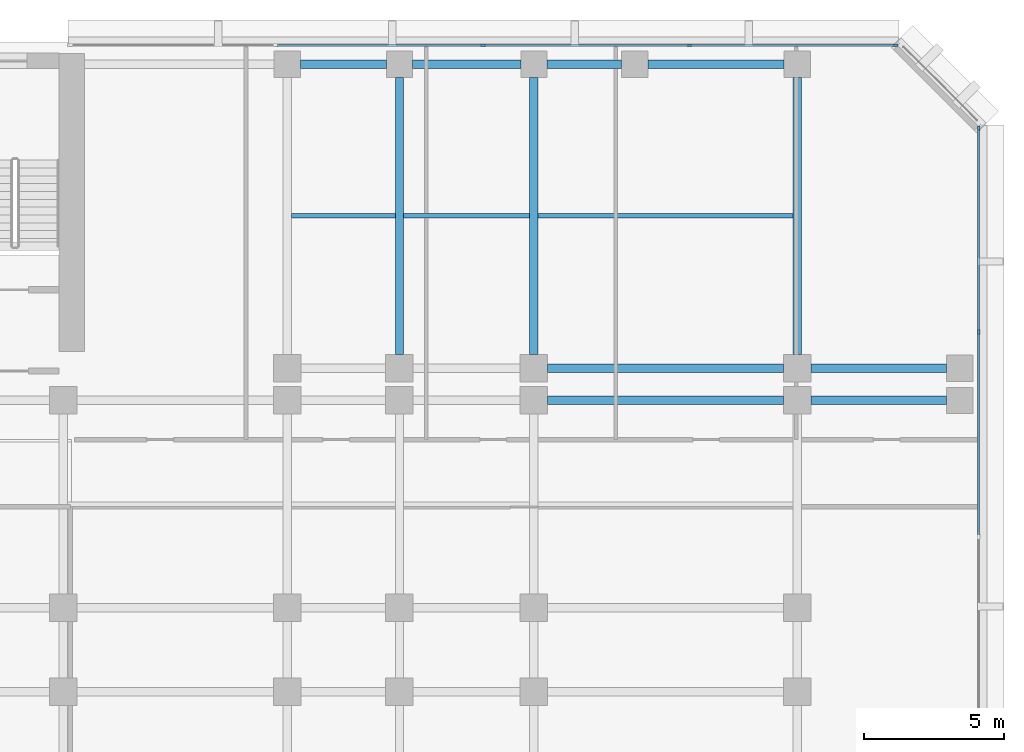
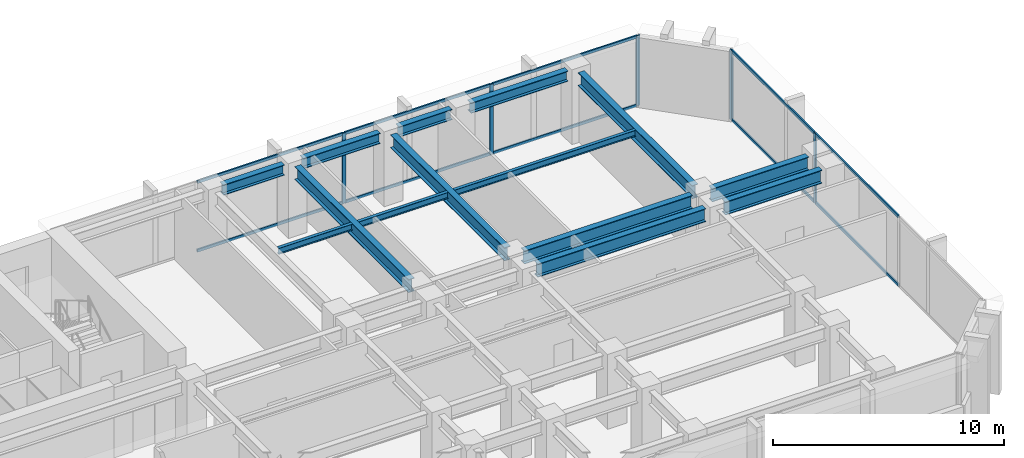
# One storey, part 5 of 13: 15 members, 14 beams, 2 elements without a shape of their own.
"""IFC4 building model written with IfcOpenShell, lengths in metres."""

import ifcopenshell
import ifcopenshell.guid

model = None  # the IFC model being written
_history = None  # IfcOwnerHistory: only IFC2X3 demands one
_inside = {}  # id of a spatial element -> (the spatial element, [elements in it])
_under = {}  # id of a project, library or spatial element -> (it, [spatial elements below it])
_declared = {}  # id of a project -> (the project, [libraries it declares])
_typed = {}  # id of a type object -> (the type object, [elements of that type])
_made_of = {}  # id of a material, layer set ... -> (it, [elements and type objects made of it])


def new_model(schema):
    """Start an empty IFC model of exactly this schema.

    Asked for "IFC4X3", IfcOpenShell would pick the latest addendum, in which some entities
    have other attributes; the version numbers below select the first issue.
    IFC2X3 requires an IfcOwnerHistory on every rooted entity: one is made here for all.
    """
    global model, _history
    if schema == "IFC4X3":
        model = ifcopenshell.file(schema_version=(4, 3, 0, 0))
    else:
        model = ifcopenshell.file(schema=schema)
    _inside.clear()
    _under.clear()
    _declared.clear()
    _typed.clear()
    _made_of.clear()
    _history = None
    if model.schema == "IFC2X3":
        org = make("IfcOrganization", Name="unknown")
        user = make(
            "IfcPersonAndOrganization",
            ThePerson=make("IfcPerson", FamilyName="unknown"),
            TheOrganization=org,
        )
        app = make(
            "IfcApplication",
            ApplicationDeveloper=org,
            Version="unknown",
            ApplicationFullName="unknown",
            ApplicationIdentifier="unknown",
        )
        _history = make(
            "IfcOwnerHistory",
            OwningUser=user,
            OwningApplication=app,
            ChangeAction="ADDED",
            CreationDate=0,
        )
    return model


def make(cls, **values):
    """One entity of the class cls with the attributes given. An attribute that is None is left unset."""
    return model.create_entity(
        cls, **{name: value for name, value in values.items() if value is not None}
    )


def rooted(cls, **values):
    """An entity with a GlobalId (a new one), such as an element, a storey or a relation."""
    return make(cls, GlobalId=ifcopenshell.guid.new(), OwnerHistory=_history, **values)


def si_unit(unit_type, name, prefix=None):
    """IfcSIUnit, for example si_unit("LENGTHUNIT", "METRE", prefix="MILLI")."""
    return make("IfcSIUnit", UnitType=unit_type, Prefix=prefix, Name=name)


def assignment(units):
    """IfcUnitAssignment: the units of a project."""
    return None if units is None else make("IfcUnitAssignment", Units=units)


def point(xyz):
    """IfcCartesianPoint."""
    return None if xyz is None else make("IfcCartesianPoint", Coordinates=xyz)


def direction(xyz):
    """IfcDirection."""
    return None if xyz is None else make("IfcDirection", DirectionRatios=xyz)


def frame(location, z_axis=None, x_axis=None):
    """IfcAxis2Placement3D, a coordinate frame: its origin and axes. An axis left out is left unset."""
    return make(
        "IfcAxis2Placement3D",
        Location=point(location),
        Axis=direction(z_axis),
        RefDirection=direction(x_axis),
    )


def frame_2d(location, x_axis=None):
    """IfcAxis2Placement2D, a coordinate frame in the plane: its origin and x axis."""
    return make(
        "IfcAxis2Placement2D", Location=point(location), RefDirection=direction(x_axis)
    )


def origin():
    """The frame at (0, 0, 0) with its axes left unset."""
    return frame((0.0, 0.0, 0.0))


def origin_2d():
    """The frame at (0, 0) in the plane with its x axis left unset."""
    return frame_2d((0.0, 0.0))


def place(relative_to, where):
    """IfcLocalPlacement: puts the frame where relative to a parent placement (None: the world)."""
    return make(
        "IfcLocalPlacement", PlacementRelTo=relative_to, RelativePlacement=where
    )


def context(
    kind, dimensions, precision=None, world=None, true_north=None, identifier=None
):
    """IfcGeometricRepresentationContext, for example the 3D "Model" context."""
    return make(
        "IfcGeometricRepresentationContext",
        ContextIdentifier=identifier,
        ContextType=kind,
        CoordinateSpaceDimension=dimensions,
        Precision=precision,
        WorldCoordinateSystem=world,
        TrueNorth=true_north,
    )


def subcontext(parent, identifier, kind, view, scale=None):
    """IfcGeometricRepresentationSubContext, for example "Body" below "Model"."""
    return make(
        "IfcGeometricRepresentationSubContext",
        ContextIdentifier=identifier,
        ContextType=kind,
        ParentContext=parent,
        TargetScale=scale,
        TargetView=view,
    )


def project(units=None, contexts=None):
    """IfcProject with its units and contexts."""
    return rooted(
        "IfcProject",
        Name="project",
        RepresentationContexts=contexts,
        UnitsInContext=assignment(units),
    )


def spatial(cls, under=None, at=None, **own):
    """A site, building, storey or space (cls), placed at a placement, below another one or the project."""
    s = rooted(cls, ObjectPlacement=at, **own)
    if under is not None:
        _under.setdefault(under.id(), (under, []))[1].append(s)
    return s


def profile(cls, at=None, kind="AREA", **sizes):
    """A parametric profile (cls). Its sizes go by their IFC names, for example OverallWidth=200.0."""
    return make(cls, ProfileType=kind, Position=at, **sizes)


def rectangle(**sizes):
    """IfcRectangleProfileDef."""
    return profile("IfcRectangleProfileDef", **sizes)


def i_section(**sizes):
    """IfcIShapeProfileDef."""
    return profile("IfcIShapeProfileDef", **sizes)


def extrude(swept, where, along, depth):
    """IfcExtrudedAreaSolid: the profile swept, set in the frame where, extruded along a direction by depth."""
    return make(
        "IfcExtrudedAreaSolid",
        SweptArea=swept,
        Position=where,
        ExtrudedDirection=direction(along),
        Depth=depth,
    )


def shape(context_of_items, identifier, shape_type, items):
    """IfcShapeRepresentation: the items that make up one representation, for example the "Body"."""
    return make(
        "IfcShapeRepresentation",
        ContextOfItems=context_of_items,
        RepresentationIdentifier=identifier,
        RepresentationType=shape_type,
        Items=items,
    )


def material(Name=None, Category=None):
    """IfcMaterial."""
    return make("IfcMaterial", Name=Name, Category=Category)


def layer(
    of_material, thickness, ventilated=None, Name=None, Category=None, Priority=None
):
    """IfcMaterialLayer: one layer of a wall or slab, of a material (None: an air gap)."""
    return make(
        "IfcMaterialLayer",
        Material=of_material,
        LayerThickness=thickness,
        IsVentilated=ventilated,
        Name=Name,
        Category=Category,
        Priority=Priority,
    )


def layer_set(layers, Name=None):
    """IfcMaterialLayerSet."""
    return make("IfcMaterialLayerSet", MaterialLayers=layers, LayerSetName=Name)


def material_profile(
    of_material, cross_section, Name=None, Category=None, Priority=None
):
    """IfcMaterialProfile: a cross section and its material."""
    return make(
        "IfcMaterialProfile",
        Name=Name,
        Material=of_material,
        Profile=cross_section,
        Priority=Priority,
        Category=Category,
    )


def profile_set(profiles, Name=None, composite=None):
    """IfcMaterialProfileSet."""
    return make(
        "IfcMaterialProfileSet",
        Name=Name,
        MaterialProfiles=profiles,
        CompositeProfile=composite,
    )


def made_of(thing, what):
    """Note that an element or type object is made of a material, layer set ...; save() writes the relation."""
    if what is not None:
        _made_of.setdefault(what.id(), (what, []))[1].append(thing)
    return thing


def type_object(cls, material=None, **own):
    """A type object (cls), such as IfcWallType, which elements share."""
    return made_of(rooted(cls, **own), material)


def element(
    cls,
    number,
    at=None,
    inside=None,
    cuts=None,
    type_object=None,
    material=None,
    context=None,
    identifier="Body",
    shape_type=None,
    held_by="IfcProductDefinitionShape",
    body=None,
    shapes=None,
    **own,
):
    """One element of the class cls, such as IfcWall. Its Tag is "e" and its number.

    at: its placement. inside: the storey or other place that contains it. cuts: it is an
    opening in that element (IfcRelVoidsElement). A single representation is given by context,
    identifier, shape_type and body (its items); several are given by shapes. held_by: the class
    of the entity that holds the representations. save() writes the other relations.
    """
    e = rooted(cls, Tag="e%d" % number, ObjectPlacement=at, **own)
    if body is not None:
        shapes = [shape(context, identifier, shape_type, body)]
    if shapes is not None:
        e.Representation = make(held_by, Representations=shapes)
    if inside is not None:
        _inside.setdefault(inside.id(), (inside, []))[1].append(e)
    if cuts is not None:
        rooted(
            "IfcRelVoidsElement", RelatingBuildingElement=cuts, RelatedOpeningElement=e
        )
    if type_object is not None:
        _typed.setdefault(type_object.id(), (type_object, []))[1].append(e)
    return made_of(e, material)


def aggregate(whole, parts):
    """IfcRelAggregates: a whole, such as a stair, and the parts it consists of."""
    return rooted("IfcRelAggregates", RelatingObject=whole, RelatedObjects=parts)


def save(model, path):
    """Write the relations noted so far, then the file.

    IfcRelAggregates (storeys below a building ...), IfcRelContainedInSpatialStructure (elements
    in a storey), IfcRelDefinesByType, IfcRelAssociatesMaterial and IfcRelDeclares: one each for
    every whole, place, type object, material and project.
    """
    for whole, parts in _under.values():
        aggregate(whole, parts)
    for where, things in _inside.values():
        rooted(
            "IfcRelContainedInSpatialStructure",
            RelatedElements=things,
            RelatingStructure=where,
        )
    for kind, things in _typed.values():
        rooted("IfcRelDefinesByType", RelatedObjects=things, RelatingType=kind)
    for what, things in _made_of.values():
        rooted("IfcRelAssociatesMaterial", RelatedObjects=things, RelatingMaterial=what)
    for by, libraries in _declared.values():
        rooted("IfcRelDeclares", RelatingContext=by, RelatedDefinitions=libraries)
    model.write(path)


model = new_model("IFC4")

# Units and contexts
model_context = context("Model", 3, precision=1e-05, world=origin(), true_north=direction((0.0, 1.0)))
body_context = subcontext(model_context, "Body", "Model", "MODEL_VIEW")
ifc_project = project(units=[si_unit("LENGTHUNIT", "METRE"), si_unit("AREAUNIT", "SQUARE_METRE"), si_unit("VOLUMEUNIT", "CUBIC_METRE"), si_unit("PLANEANGLEUNIT", "RADIAN"), si_unit("MASSUNIT", "GRAM", prefix="KILO")], contexts=[model_context])

# Site, building, storey
site_placement = place(None, origin())
site = spatial("IfcSite", under=ifc_project, at=site_placement, CompositionType="ELEMENT")
building_placement = place(site_placement, origin())
building = spatial("IfcBuilding", under=site, at=building_placement, Name="Kefirva Bronze Tower", CompositionType="ELEMENT")
storey_placement = place(building_placement, frame((0.0, 0.0, 69.9599609375)))
storey = spatial("IfcBuildingStorey", under=building, at=storey_placement, Name="L16", CompositionType="ELEMENT", Elevation=69.9599609375)

# Curtain wall, members
ifc_material_1 = material(Name="Bronze anodised aluminium", Category="aluminium")
ifc_layer = layer(ifc_material_1, 0.199951171875, Name="Bronze anodised aluminium")
ifc_layer_set = layer_set([ifc_layer], Name="Bronze anodised aluminium")
curtain_wall_type = type_object("IfcCurtainWallType", Name="Unitised Bronze Ribbon Curtain Wall Zone 1", PredefinedType="USERDEFINED", material=ifc_layer_set)
curtain_wall_1_placement = place(storey_placement, origin())
curtain_wall_1 = element("IfcCurtainWall", 1, at=curtain_wall_1_placement, inside=storey, type_object=curtain_wall_type, Name="L16 Curtain Wall 3", ObjectType="UNITISED CURTAIN WALL", PredefinedType="USERDEFINED")
ifc_material_profile_1 = material_profile(ifc_material_1, rectangle(XDim=0.074951171875, YDim=0.179931640625, at=origin_2d()), Name="ALU 75x180")
ifc_profile_set_1 = profile_set([ifc_material_profile_1], Name="Bronze anodised aluminium")
member_type_1 = type_object("IfcMemberType", Name="Bronze Mullion 75x180", PredefinedType="MULLION", material=ifc_profile_set_1)
member_1_placement = place(storey_placement, frame((55.8798828125, 35.6484375, 0.0), z_axis=(0.0, 0.0, 1.0), x_axis=(-1.0, 0.0, 0.0)))
member_1 = element("IfcMember", 2, at=member_1_placement, type_object=member_type_1, Name="CW-01 mullion 3", PredefinedType="MULLION", context=body_context, shape_type="SweptSolid", body=[
    extrude(rectangle(XDim=0.074951171875, YDim=0.179931640625, at=origin_2d()), origin(), (0.0, 0.0, 1.0), 3.7099609375),
])
member_2_placement = place(storey_placement, frame((55.8798828125, 42.907470703125, 0.0), z_axis=(0.0, 0.0, 1.0), x_axis=(-1.0, 0.0, 0.0)))
member_2 = element("IfcMember", 3, at=member_2_placement, type_object=member_type_1, Name="CW-01 mullion 4", PredefinedType="MULLION", context=body_context, shape_type="SweptSolid", body=[
    extrude(rectangle(XDim=0.074951171875, YDim=0.179931640625, at=origin_2d()), origin(), (0.0, 0.0, 1.0), 3.7099609375),
])

curtain_wall_2_placement = place(storey_placement, origin())
curtain_wall_2 = element("IfcCurtainWall", 4, at=curtain_wall_2_placement, inside=storey, type_object=curtain_wall_type, Name="L16 Curtain Wall 4", ObjectType="UNITISED CURTAIN WALL", PredefinedType="USERDEFINED")
member_3_placement = place(storey_placement, frame((52.907470703125, 45.8798828125, 0.0), z_axis=(0.0, 0.0, 1.0), x_axis=(0.0, -1.0, 0.0)))
member_3 = element("IfcMember", 5, at=member_3_placement, type_object=member_type_1, Name="CW-01 mullion 1", PredefinedType="MULLION", context=body_context, shape_type="SweptSolid", body=[
    extrude(rectangle(XDim=0.074951171875, YDim=0.179931640625, at=origin_2d()), origin(), (0.0, 0.0, 1.0), 3.7099609375),
])
member_4_placement = place(storey_placement, frame((45.56005859375, 45.8798828125, 0.0), z_axis=(0.0, 0.0, 1.0), x_axis=(0.0, -1.0, 0.0)))
member_4 = element("IfcMember", 6, at=member_4_placement, type_object=member_type_1, Name="CW-01 mullion 2", PredefinedType="MULLION", context=body_context, shape_type="SweptSolid", body=[
    extrude(rectangle(XDim=0.074951171875, YDim=0.179931640625, at=origin_2d()), origin(), (0.0, 0.0, 1.0), 3.7099609375),
])
member_5_placement = place(storey_placement, frame((38.175048828125, 45.8798828125, 0.0), z_axis=(0.0, 0.0, 1.0), x_axis=(0.0, -1.0, 0.0)))
member_5 = element("IfcMember", 7, at=member_5_placement, type_object=member_type_1, Name="CW-01 mullion 3", PredefinedType="MULLION", context=body_context, shape_type="SweptSolid", body=[
    extrude(rectangle(XDim=0.074951171875, YDim=0.179931640625, at=origin_2d()), origin(), (0.0, 0.0, 1.0), 3.7099609375),
])

# Member
ifc_material_profile_2 = material_profile(ifc_material_1, rectangle(XDim=0.074951171875, YDim=0.14990234375, at=origin_2d()), Name="ALU 75x150")
ifc_profile_set_2 = profile_set([ifc_material_profile_2], Name="Bronze anodised aluminium")
member_type_2 = type_object("IfcMemberType", Name="Bronze Transom 75x150", PredefinedType="USERDEFINED", material=ifc_profile_set_2)
member_6_placement = place(storey_placement, frame((55.8798828125, 28.38916015625, 0.03759765625), z_axis=(0.0, 1.0, 0.0), x_axis=(-1.0, 0.0, 0.0)))
member_6 = element("IfcMember", 8, at=member_6_placement, type_object=member_type_2, Name="CW-01 transom 2.1", ObjectType="TRANSOM", PredefinedType="USERDEFINED", context=body_context, shape_type="SweptSolid", body=[
    extrude(rectangle(XDim=0.074951171875, YDim=0.14990234375, at=origin_2d()), origin(), (0.0, 0.0, 1.0), 7.2216796875),
])

member_7_placement = place(storey_placement, frame((55.8798828125, 28.38916015625, 3.672607421875), z_axis=(0.0, 1.0, 0.0), x_axis=(-1.0, 0.0, 0.0)))
member_7 = element("IfcMember", 9, at=member_7_placement, type_object=member_type_2, Name="CW-01 transom 2.2", ObjectType="TRANSOM", PredefinedType="USERDEFINED", context=body_context, shape_type="SweptSolid", body=[
    extrude(rectangle(XDim=0.074951171875, YDim=0.14990234375, at=origin_2d()), origin(), (0.0, 0.0, 1.0), 7.2216796875),
])

member_8_placement = place(storey_placement, frame((55.8798828125, 35.685791015625, 0.03759765625), z_axis=(0.0, 1.0, 0.0), x_axis=(-1.0, 0.0, 0.0)))
member_8 = element("IfcMember", 10, at=member_8_placement, type_object=member_type_2, Name="CW-01 transom 3.1", ObjectType="TRANSOM", PredefinedType="USERDEFINED", context=body_context, shape_type="SweptSolid", body=[
    extrude(rectangle(XDim=0.074951171875, YDim=0.14990234375, at=origin_2d()), origin(), (0.0, 0.0, 1.0), 7.184326171875),
])

member_9_placement = place(storey_placement, frame((55.8798828125, 35.685791015625, 3.672607421875), z_axis=(0.0, 1.0, 0.0), x_axis=(-1.0, 0.0, 0.0)))
member_9 = element("IfcMember", 11, at=member_9_placement, type_object=member_type_2, Name="CW-01 transom 3.2", ObjectType="TRANSOM", PredefinedType="USERDEFINED", context=body_context, shape_type="SweptSolid", body=[
    extrude(rectangle(XDim=0.074951171875, YDim=0.14990234375, at=origin_2d()), origin(), (0.0, 0.0, 1.0), 7.184326171875),
])

aggregate(curtain_wall_1, [member_1, member_2, member_6, member_7, member_8, member_9])

member_10_placement = place(storey_placement, frame((52.8701171875, 45.8798828125, 0.03759765625), z_axis=(-1.0, 0.0, 0.0), x_axis=(0.0, -1.0, 0.0)))
member_10 = element("IfcMember", 12, at=member_10_placement, type_object=member_type_2, Name="CW-01 transom 1.1", ObjectType="TRANSOM", PredefinedType="USERDEFINED", context=body_context, shape_type="SweptSolid", body=[
    extrude(rectangle(XDim=0.074951171875, YDim=0.14990234375, at=origin_2d()), origin(), (0.0, 0.0, 1.0), 7.272705078125),
])

member_11_placement = place(storey_placement, frame((52.8701171875, 45.8798828125, 3.672607421875), z_axis=(-1.0, 0.0, 0.0), x_axis=(0.0, -1.0, 0.0)))
member_11 = element("IfcMember", 13, at=member_11_placement, type_object=member_type_2, Name="CW-01 transom 1.2", ObjectType="TRANSOM", PredefinedType="USERDEFINED", context=body_context, shape_type="SweptSolid", body=[
    extrude(rectangle(XDim=0.074951171875, YDim=0.14990234375, at=origin_2d()), origin(), (0.0, 0.0, 1.0), 7.272705078125),
])

member_12_placement = place(storey_placement, frame((45.5224609375, 45.8798828125, 0.03759765625), z_axis=(-1.0, 0.0, 0.0), x_axis=(0.0, -1.0, 0.0)))
member_12 = element("IfcMember", 14, at=member_12_placement, type_object=member_type_2, Name="CW-01 transom 2.1", ObjectType="TRANSOM", PredefinedType="USERDEFINED", context=body_context, shape_type="SweptSolid", body=[
    extrude(rectangle(XDim=0.074951171875, YDim=0.14990234375, at=origin_2d()), origin(), (0.0, 0.0, 1.0), 7.31005859375),
])

member_13_placement = place(storey_placement, frame((45.5224609375, 45.8798828125, 3.672607421875), z_axis=(-1.0, 0.0, 0.0), x_axis=(0.0, -1.0, 0.0)))
member_13 = element("IfcMember", 15, at=member_13_placement, type_object=member_type_2, Name="CW-01 transom 2.2", ObjectType="TRANSOM", PredefinedType="USERDEFINED", context=body_context, shape_type="SweptSolid", body=[
    extrude(rectangle(XDim=0.074951171875, YDim=0.14990234375, at=origin_2d()), origin(), (0.0, 0.0, 1.0), 7.31005859375),
])

member_14_placement = place(storey_placement, frame((38.137451171875, 45.8798828125, 0.03759765625), z_axis=(-1.0, 0.0, 0.0), x_axis=(0.0, -1.0, 0.0)))
member_14 = element("IfcMember", 16, at=member_14_placement, type_object=member_type_2, Name="CW-01 transom 3.1", ObjectType="TRANSOM", PredefinedType="USERDEFINED", context=body_context, shape_type="SweptSolid", body=[
    extrude(rectangle(XDim=0.074951171875, YDim=0.14990234375, at=origin_2d()), origin(), (0.0, 0.0, 1.0), 7.31005859375),
])

member_15_placement = place(storey_placement, frame((38.137451171875, 45.8798828125, 3.672607421875), z_axis=(-1.0, 0.0, 0.0), x_axis=(0.0, -1.0, 0.0)))
member_15 = element("IfcMember", 17, at=member_15_placement, type_object=member_type_2, Name="CW-01 transom 3.2", ObjectType="TRANSOM", PredefinedType="USERDEFINED", context=body_context, shape_type="SweptSolid", body=[
    extrude(rectangle(XDim=0.074951171875, YDim=0.14990234375, at=origin_2d()), origin(), (0.0, 0.0, 1.0), 7.31005859375),
])

aggregate(curtain_wall_2, [member_3, member_4, member_5, member_10, member_11, member_12, member_13, member_14, member_15])

# Beams
ifc_material_2 = material(Name="Steel S355", Category="steel")
ifc_material_profile_3 = material_profile(ifc_material_2, i_section(OverallWidth=0.159912109375, OverallDepth=0.330078125, WebThickness=0.007568359375, FlangeThickness=0.011474609375, at=origin_2d()), Name="IPE 330")
ifc_profile_set_3 = profile_set([ifc_material_profile_3], Name="Steel S355")
beam_type_1 = type_object("IfcBeamType", Name="Steel Floor Joist IPE 330", PredefinedType="JOIST", material=ifc_profile_set_3)
beam_1_placement = place(storey_placement, frame((31.35009765625, 39.784912109375, 3.544921875), z_axis=(1.0, 0.0, 0.0), x_axis=(0.0, 1.0, 0.0)))
element("IfcBeam", 18, at=beam_1_placement, inside=storey, type_object=beam_type_1, Name="L16 JST-L16-31-397", PredefinedType="JOIST", context=body_context, shape_type="SweptSolid", body=[
    extrude(i_section(OverallWidth=0.159912109375, OverallDepth=0.330078125, WebThickness=0.007568359375, FlangeThickness=0.011474609375, at=origin_2d()), origin(), (0.0, 0.0, 1.0), 3.699951171875),
])
beam_2_placement = place(storey_placement, frame((35.35009765625, 39.784912109375, 3.544921875), z_axis=(1.0, 0.0, 0.0), x_axis=(0.0, 1.0, 0.0)))
element("IfcBeam", 19, at=beam_2_placement, inside=storey, type_object=beam_type_1, Name="L16 JST-L16-35-397", PredefinedType="JOIST", context=body_context, shape_type="SweptSolid", body=[
    extrude(i_section(OverallWidth=0.159912109375, OverallDepth=0.330078125, WebThickness=0.007568359375, FlangeThickness=0.011474609375, at=origin_2d()), origin(), (0.0, 0.0, 1.0), 4.5),
])
beam_3_placement = place(storey_placement, frame((40.14990234375, 39.784912109375, 3.544921875), z_axis=(1.0, 0.0, 0.0), x_axis=(0.0, 1.0, 0.0)))
element("IfcBeam", 20, at=beam_3_placement, inside=storey, type_object=beam_type_1, Name="L16 JST-L16-40-397", PredefinedType="JOIST", context=body_context, shape_type="SweptSolid", body=[
    extrude(i_section(OverallWidth=0.159912109375, OverallDepth=0.330078125, WebThickness=0.007568359375, FlangeThickness=0.011474609375, at=origin_2d()), origin(), (0.0, 0.0, 1.0), 9.10009765625),
])
ifc_material_profile_4 = material_profile(ifc_material_2, i_section(OverallWidth=0.300048828125, OverallDepth=0.699951171875, WebThickness=0.01708984375, FlangeThickness=0.031982421875, at=origin_2d()), Name="HEB 700")
ifc_profile_set_4 = profile_set([ifc_material_profile_4], Name="Steel S355")
beam_type_2 = type_object("IfcBeamType", Name="Steel Girder HEB 700", PredefinedType="USERDEFINED", material=ifc_profile_set_4)
beam_4_placement = place(storey_placement, frame((40.489990234375, 33.199951171875, 3.360107421875), z_axis=(1.0, 0.0, 0.0), x_axis=(0.0, 1.0, 0.0)))
element("IfcBeam", 21, at=beam_4_placement, inside=storey, type_object=beam_type_2, Name="L16 BM-L16-EW-40-332", ObjectType="GIRDER", PredefinedType="USERDEFINED", context=body_context, shape_type="SweptSolid", body=[
    extrude(i_section(OverallWidth=0.300048828125, OverallDepth=0.699951171875, WebThickness=0.01708984375, FlangeThickness=0.031982421875, at=origin_2d()), origin(), (0.0, 0.0, 1.0), 8.419921875),
])
beam_5_placement = place(storey_placement, frame((49.889892578125, 33.199951171875, 3.360107421875), z_axis=(1.0, 0.0, 0.0), x_axis=(0.0, 1.0, 0.0)))
element("IfcBeam", 22, at=beam_5_placement, inside=storey, type_object=beam_type_2, Name="L16 BM-L16-EW-49-332", ObjectType="GIRDER", PredefinedType="USERDEFINED", context=body_context, shape_type="SweptSolid", body=[
    extrude(i_section(OverallWidth=0.300048828125, OverallDepth=0.699951171875, WebThickness=0.01708984375, FlangeThickness=0.031982421875, at=origin_2d()), origin(), (0.0, 0.0, 1.0), 4.840087890625),
])
beam_6_placement = place(storey_placement, frame((40.489990234375, 34.35009765625, 3.360107421875), z_axis=(1.0, 0.0, 0.0), x_axis=(0.0, 1.0, 0.0)))
element("IfcBeam", 23, at=beam_6_placement, inside=storey, type_object=beam_type_2, Name="L16 BM-L16-EW-40-344", ObjectType="GIRDER", PredefinedType="USERDEFINED", context=body_context, shape_type="SweptSolid", body=[
    extrude(i_section(OverallWidth=0.300048828125, OverallDepth=0.699951171875, WebThickness=0.01708984375, FlangeThickness=0.031982421875, at=origin_2d()), origin(), (0.0, 0.0, 1.0), 8.419921875),
])
beam_7_placement = place(storey_placement, frame((49.889892578125, 34.35009765625, 3.360107421875), z_axis=(1.0, 0.0, 0.0), x_axis=(0.0, 1.0, 0.0)))
element("IfcBeam", 24, at=beam_7_placement, inside=storey, type_object=beam_type_2, Name="L16 BM-L16-EW-49-344", ObjectType="GIRDER", PredefinedType="USERDEFINED", context=body_context, shape_type="SweptSolid", body=[
    extrude(i_section(OverallWidth=0.300048828125, OverallDepth=0.699951171875, WebThickness=0.01708984375, FlangeThickness=0.031982421875, at=origin_2d()), origin(), (0.0, 0.0, 1.0), 4.840087890625),
])
for number, where, z_axis, x_axis, name in (
    (25, (35.199951171875, 34.840087890625, 3.360107421875), (0.0, 1.0, 0.0), (-1.0, 0.0, 0.0), "L16 BM-L16-NS-352-34"),
    (26, (40.0, 34.840087890625, 3.360107421875), (0.0, 1.0, 0.0), (-1.0, 0.0, 0.0), "L16 BM-L16-NS-400-34"),
    (27, (49.39990234375, 34.840087890625, 3.360107421875), (0.0, 1.0, 0.0), (-1.0, 0.0, 0.0), "L16 BM-L16-NS-494-34"),
):
    element("IfcBeam", number, at=place(storey_placement, frame(where, z_axis=z_axis, x_axis=x_axis)), inside=storey, type_object=beam_type_2, Name=name, ObjectType="GIRDER", PredefinedType="USERDEFINED", context=body_context, shape_type="SweptSolid", body=[
        extrude(i_section(OverallWidth=0.300048828125, OverallDepth=0.699951171875, WebThickness=0.01708984375, FlangeThickness=0.031982421875, at=origin_2d()), origin(), (0.0, 0.0, 1.0), 9.889892578125),
    ])
ifc_material_profile_5 = material_profile(ifc_material_2, i_section(OverallWidth=0.300048828125, OverallDepth=0.550048828125, WebThickness=0.014892578125, FlangeThickness=0.029052734375, at=origin_2d()), Name="HEB 550")
ifc_profile_set_5 = profile_set([ifc_material_profile_5], Name="Steel S355")
beam_type_3 = type_object("IfcBeamType", Name="Steel Spandrel HEB 550 Ext", PredefinedType="SPANDREL", material=ifc_profile_set_5)
beam_8_placement = place(storey_placement, frame((31.669921875, 45.199951171875, 3.43505859375), z_axis=(1.0, 0.0, 0.0), x_axis=(0.0, 1.0, 0.0)))
element("IfcBeam", 28, at=beam_8_placement, inside=storey, type_object=beam_type_3, Name="L16 BM-L16-EW-31-452", PredefinedType="SPANDREL", context=body_context, shape_type="SweptSolid", body=[
    extrude(i_section(OverallWidth=0.300048828125, OverallDepth=0.550048828125, WebThickness=0.014892578125, FlangeThickness=0.029052734375, at=origin_2d()), origin(), (0.0, 0.0, 1.0), 3.06005859375),
])
beam_9_placement = place(storey_placement, frame((35.669921875, 45.199951171875, 3.43505859375), z_axis=(1.0, 0.0, 0.0), x_axis=(0.0, 1.0, 0.0)))
element("IfcBeam", 29, at=beam_9_placement, inside=storey, type_object=beam_type_3, Name="L16 BM-L16-EW-35-452", PredefinedType="SPANDREL", context=body_context, shape_type="SweptSolid", body=[
    extrude(i_section(OverallWidth=0.300048828125, OverallDepth=0.550048828125, WebThickness=0.014892578125, FlangeThickness=0.029052734375, at=origin_2d()), origin(), (0.0, 0.0, 1.0), 3.860107421875),
])
beam_10_placement = place(storey_placement, frame((40.469970703125, 45.199951171875, 3.43505859375), z_axis=(1.0, 0.0, 0.0), x_axis=(0.0, 1.0, 0.0)))
element("IfcBeam", 30, at=beam_10_placement, inside=storey, type_object=beam_type_3, Name="L16 BM-L16-EW-40-452", PredefinedType="SPANDREL", context=body_context, shape_type="SweptSolid", body=[
    extrude(i_section(OverallWidth=0.300048828125, OverallDepth=0.550048828125, WebThickness=0.014892578125, FlangeThickness=0.029052734375, at=origin_2d()), origin(), (0.0, 0.0, 1.0), 2.659912109375),
])
beam_11_placement = place(storey_placement, frame((44.070068359375, 45.199951171875, 3.43505859375), z_axis=(1.0, 0.0, 0.0), x_axis=(0.0, 1.0, 0.0)))
element("IfcBeam", 31, at=beam_11_placement, inside=storey, type_object=beam_type_3, Name="L16 BM-L16-EW-43-452", PredefinedType="SPANDREL", context=body_context, shape_type="SweptSolid", body=[
    extrude(i_section(OverallWidth=0.300048828125, OverallDepth=0.550048828125, WebThickness=0.014892578125, FlangeThickness=0.029052734375, at=origin_2d()), origin(), (0.0, 0.0, 1.0), 4.85986328125),
])

save(model, "model.ifc")
